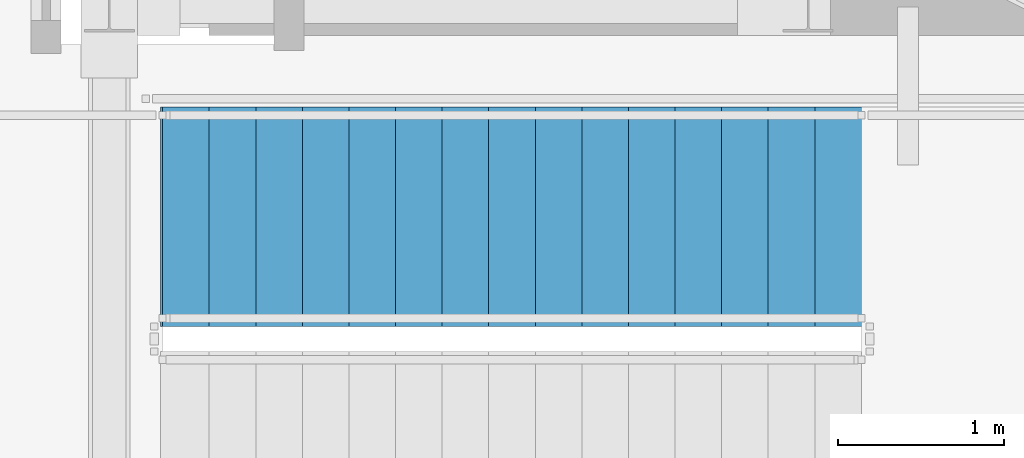
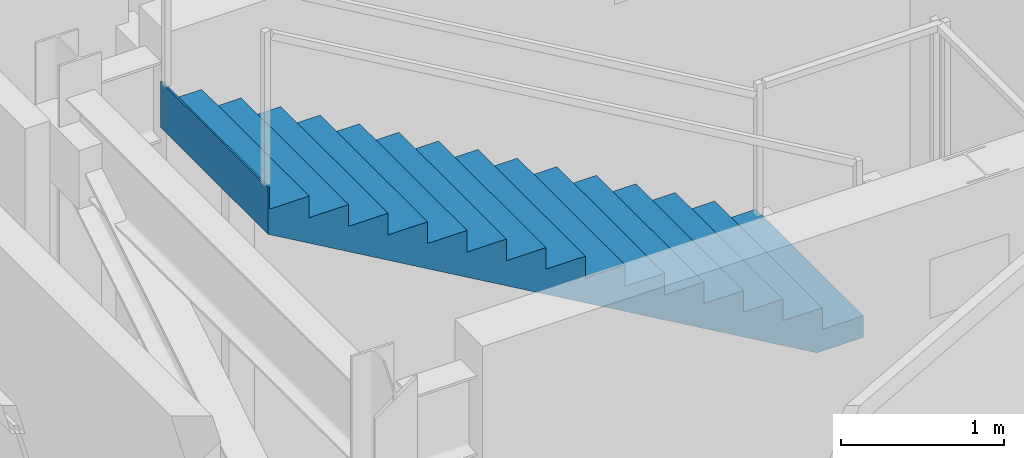
# One storey, part 2 of 3: 1 stair flight, 1 element without a shape of its own.
"""IFC4 building model written with IfcOpenShell, lengths in metres."""

import ifcopenshell
import ifcopenshell.guid

model = None  # the IFC model being written
_history = None  # IfcOwnerHistory: only IFC2X3 demands one
_inside = {}  # id of a spatial element -> (the spatial element, [elements in it])
_under = {}  # id of a project, library or spatial element -> (it, [spatial elements below it])
_declared = {}  # id of a project -> (the project, [libraries it declares])
_typed = {}  # id of a type object -> (the type object, [elements of that type])
_made_of = {}  # id of a material, layer set ... -> (it, [elements and type objects made of it])


def new_model(schema):
    """Start an empty IFC model of exactly this schema.

    Asked for "IFC4X3", IfcOpenShell would pick the latest addendum, in which some entities
    have other attributes; the version numbers below select the first issue.
    IFC2X3 requires an IfcOwnerHistory on every rooted entity: one is made here for all.
    """
    global model, _history
    if schema == "IFC4X3":
        model = ifcopenshell.file(schema_version=(4, 3, 0, 0))
    else:
        model = ifcopenshell.file(schema=schema)
    _inside.clear()
    _under.clear()
    _declared.clear()
    _typed.clear()
    _made_of.clear()
    _history = None
    if model.schema == "IFC2X3":
        org = make("IfcOrganization", Name="unknown")
        user = make(
            "IfcPersonAndOrganization",
            ThePerson=make("IfcPerson", FamilyName="unknown"),
            TheOrganization=org,
        )
        app = make(
            "IfcApplication",
            ApplicationDeveloper=org,
            Version="unknown",
            ApplicationFullName="unknown",
            ApplicationIdentifier="unknown",
        )
        _history = make(
            "IfcOwnerHistory",
            OwningUser=user,
            OwningApplication=app,
            ChangeAction="ADDED",
            CreationDate=0,
        )
    return model


def make(cls, **values):
    """One entity of the class cls with the attributes given. An attribute that is None is left unset."""
    return model.create_entity(
        cls, **{name: value for name, value in values.items() if value is not None}
    )


def rooted(cls, **values):
    """An entity with a GlobalId (a new one), such as an element, a storey or a relation."""
    return make(cls, GlobalId=ifcopenshell.guid.new(), OwnerHistory=_history, **values)


def si_unit(unit_type, name, prefix=None):
    """IfcSIUnit, for example si_unit("LENGTHUNIT", "METRE", prefix="MILLI")."""
    return make("IfcSIUnit", UnitType=unit_type, Prefix=prefix, Name=name)


def assignment(units):
    """IfcUnitAssignment: the units of a project."""
    return None if units is None else make("IfcUnitAssignment", Units=units)


def point(xyz):
    """IfcCartesianPoint."""
    return None if xyz is None else make("IfcCartesianPoint", Coordinates=xyz)


def direction(xyz):
    """IfcDirection."""
    return None if xyz is None else make("IfcDirection", DirectionRatios=xyz)


def frame(location, z_axis=None, x_axis=None):
    """IfcAxis2Placement3D, a coordinate frame: its origin and axes. An axis left out is left unset."""
    return make(
        "IfcAxis2Placement3D",
        Location=point(location),
        Axis=direction(z_axis),
        RefDirection=direction(x_axis),
    )


def origin():
    """The frame at (0, 0, 0) with its axes left unset."""
    return frame((0.0, 0.0, 0.0))


def place(relative_to, where):
    """IfcLocalPlacement: puts the frame where relative to a parent placement (None: the world)."""
    return make(
        "IfcLocalPlacement", PlacementRelTo=relative_to, RelativePlacement=where
    )


def context(
    kind, dimensions, precision=None, world=None, true_north=None, identifier=None
):
    """IfcGeometricRepresentationContext, for example the 3D "Model" context."""
    return make(
        "IfcGeometricRepresentationContext",
        ContextIdentifier=identifier,
        ContextType=kind,
        CoordinateSpaceDimension=dimensions,
        Precision=precision,
        WorldCoordinateSystem=world,
        TrueNorth=true_north,
    )


def subcontext(parent, identifier, kind, view, scale=None):
    """IfcGeometricRepresentationSubContext, for example "Body" below "Model"."""
    return make(
        "IfcGeometricRepresentationSubContext",
        ContextIdentifier=identifier,
        ContextType=kind,
        ParentContext=parent,
        TargetScale=scale,
        TargetView=view,
    )


def project(units=None, contexts=None):
    """IfcProject with its units and contexts."""
    return rooted(
        "IfcProject",
        Name="project",
        RepresentationContexts=contexts,
        UnitsInContext=assignment(units),
    )


def spatial(cls, under=None, at=None, **own):
    """A site, building, storey or space (cls), placed at a placement, below another one or the project."""
    s = rooted(cls, ObjectPlacement=at, **own)
    if under is not None:
        _under.setdefault(under.id(), (under, []))[1].append(s)
    return s


def polyline(points):
    """IfcPolyline through the points."""
    return make("IfcPolyline", Points=[point(p) for p in points])


def outline(outer, holes=None, kind="AREA"):
    """IfcArbitraryClosedProfileDef: a profile drawn as a closed curve; with holes, ...WithVoids."""
    if holes is None:
        return make("IfcArbitraryClosedProfileDef", ProfileType=kind, OuterCurve=outer)
    return make(
        "IfcArbitraryProfileDefWithVoids",
        ProfileType=kind,
        OuterCurve=outer,
        InnerCurves=holes,
    )


def extrude(swept, where, along, depth):
    """IfcExtrudedAreaSolid: the profile swept, set in the frame where, extruded along a direction by depth."""
    return make(
        "IfcExtrudedAreaSolid",
        SweptArea=swept,
        Position=where,
        ExtrudedDirection=direction(along),
        Depth=depth,
    )


def shape(context_of_items, identifier, shape_type, items):
    """IfcShapeRepresentation: the items that make up one representation, for example the "Body"."""
    return make(
        "IfcShapeRepresentation",
        ContextOfItems=context_of_items,
        RepresentationIdentifier=identifier,
        RepresentationType=shape_type,
        Items=items,
    )


def material(Name=None, Category=None):
    """IfcMaterial."""
    return make("IfcMaterial", Name=Name, Category=Category)


def made_of(thing, what):
    """Note that an element or type object is made of a material, layer set ...; save() writes the relation."""
    if what is not None:
        _made_of.setdefault(what.id(), (what, []))[1].append(thing)
    return thing


def type_object(cls, material=None, **own):
    """A type object (cls), such as IfcWallType, which elements share."""
    return made_of(rooted(cls, **own), material)


def element(
    cls,
    number,
    at=None,
    inside=None,
    cuts=None,
    type_object=None,
    material=None,
    context=None,
    identifier="Body",
    shape_type=None,
    held_by="IfcProductDefinitionShape",
    body=None,
    shapes=None,
    **own,
):
    """One element of the class cls, such as IfcWall. Its Tag is "e" and its number.

    at: its placement. inside: the storey or other place that contains it. cuts: it is an
    opening in that element (IfcRelVoidsElement). A single representation is given by context,
    identifier, shape_type and body (its items); several are given by shapes. held_by: the class
    of the entity that holds the representations. save() writes the other relations.
    """
    e = rooted(cls, Tag="e%d" % number, ObjectPlacement=at, **own)
    if body is not None:
        shapes = [shape(context, identifier, shape_type, body)]
    if shapes is not None:
        e.Representation = make(held_by, Representations=shapes)
    if inside is not None:
        _inside.setdefault(inside.id(), (inside, []))[1].append(e)
    if cuts is not None:
        rooted(
            "IfcRelVoidsElement", RelatingBuildingElement=cuts, RelatedOpeningElement=e
        )
    if type_object is not None:
        _typed.setdefault(type_object.id(), (type_object, []))[1].append(e)
    return made_of(e, material)


def aggregate(whole, parts):
    """IfcRelAggregates: a whole, such as a stair, and the parts it consists of."""
    return rooted("IfcRelAggregates", RelatingObject=whole, RelatedObjects=parts)


def save(model, path):
    """Write the relations noted so far, then the file.

    IfcRelAggregates (storeys below a building ...), IfcRelContainedInSpatialStructure (elements
    in a storey), IfcRelDefinesByType, IfcRelAssociatesMaterial and IfcRelDeclares: one each for
    every whole, place, type object, material and project.
    """
    for whole, parts in _under.values():
        aggregate(whole, parts)
    for where, things in _inside.values():
        rooted(
            "IfcRelContainedInSpatialStructure",
            RelatedElements=things,
            RelatingStructure=where,
        )
    for kind, things in _typed.values():
        rooted("IfcRelDefinesByType", RelatedObjects=things, RelatingType=kind)
    for what, things in _made_of.values():
        rooted("IfcRelAssociatesMaterial", RelatedObjects=things, RelatingMaterial=what)
    for by, libraries in _declared.values():
        rooted("IfcRelDeclares", RelatingContext=by, RelatedDefinitions=libraries)
    model.write(path)


model = new_model("IFC4")

# Units and contexts
model_context = context("Model", 3, precision=1e-05, world=origin(), true_north=direction((0.0, 1.0)))
body_context = subcontext(model_context, "Body", "Model", "MODEL_VIEW")
ifc_project = project(units=[si_unit("LENGTHUNIT", "METRE"), si_unit("AREAUNIT", "SQUARE_METRE"), si_unit("VOLUMEUNIT", "CUBIC_METRE"), si_unit("PLANEANGLEUNIT", "RADIAN"), si_unit("MASSUNIT", "GRAM", prefix="KILO")], contexts=[model_context])

# Site, building, storey
site_placement = place(None, origin())
site = spatial("IfcSite", under=ifc_project, at=site_placement, CompositionType="ELEMENT")
building_placement = place(site_placement, origin())
building = spatial("IfcBuilding", under=site, at=building_placement, Name="Yunling Apex Tower", CompositionType="ELEMENT")
storey_placement = place(building_placement, frame((0.0, 0.0, 338.64990234375)))
storey = spatial("IfcBuildingStorey", under=building, at=storey_placement, Name="C05", CompositionType="ELEMENT", Elevation=338.64990234375)

# Stair, stair flight
ifc_material = material(Name="Concrete C40", Category="concrete")
stair_type = type_object("IfcStairType", Name="ST-CRN-1", PredefinedType="STRAIGHT_RUN_STAIR", material=ifc_material)
stair_placement = place(storey_placement, origin())
stair = element("IfcStair", 1, at=stair_placement, inside=storey, type_object=stair_type, Name="C05 Crown Maintenance Access Stair ST-C1", PredefinedType="HALF_TURN_STAIR")
stair_flight_type = type_object("IfcStairFlightType", Name="SFL-CRN-1", PredefinedType="STRAIGHT", material=ifc_material)
stair_flight_placement = place(storey_placement, frame((2.719970703125, 0.679931640625, 2.60009765625), z_axis=(0.0, 0.0, 1.0), x_axis=(-1.0, 0.0, 0.0)))
stair_flight = element("IfcStairFlight", 2, at=stair_flight_placement, type_object=stair_flight_type, Name="ST-C1 flight 2", NumberOfRisers=16, NumberOfTreads=15, PredefinedType="STRAIGHT", RiserHeight=0.1625, TreadLength=0.28, context=body_context, shape_type="SweptSolid", body=[
    extrude(outline(polyline([(-0.011962890625, 0.0), (-0.011962890625, 0.16259765625), (0.0, 0.16259765625), (0.280029296875, 0.16259765625), (0.280029296875, 0.324951171875), (0.56005859375, 0.324951171875), (0.56005859375, 0.487548828125), (0.840087890625, 0.487548828125), (0.840087890625, 0.64990234375), (1.1201171875, 0.64990234375), (1.1201171875, 0.8125), (1.39990234375, 0.8125), (1.39990234375, 0.97509765625), (1.679931640625, 0.97509765625), (1.679931640625, 1.137451171875), (1.9599609375, 1.137451171875), (1.9599609375, 1.300048828125), (2.239990234375, 1.300048828125), (2.239990234375, 1.46240234375), (2.52001953125, 1.46240234375), (2.52001953125, 1.625), (2.800048828125, 1.625), (2.800048828125, 1.78759765625), (3.080078125, 1.78759765625), (3.080078125, 1.949951171875), (3.360107421875, 1.949951171875), (3.360107421875, 2.112548828125), (3.639892578125, 2.112548828125), (3.639892578125, 2.27490234375), (3.919921875, 2.27490234375), (3.919921875, 2.4375), (4.199951171875, 2.4375), (4.199951171875, 2.60009765625), (4.2119140625, 2.60009765625), (4.2119140625, 2.252685546875), (0.318603515625, 0.0), (-0.011962890625, 0.0)])), frame((0.0, 0.66015625, 0.0), z_axis=(0.0, -1.0, 0.0), x_axis=(1.0, 0.0, 0.0)), (0.0, 0.0, 1.0), 1.320068359375),
])
aggregate(stair, [stair_flight])

save(model, "model.ifc")
